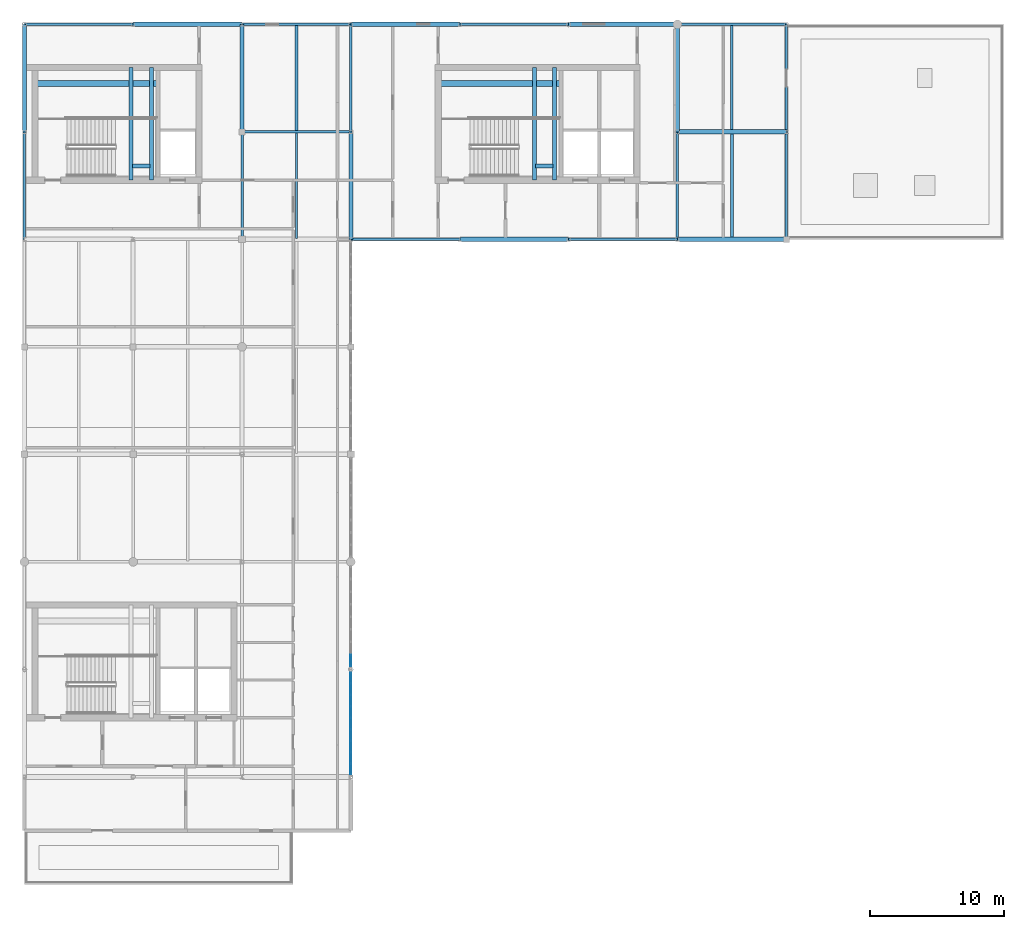
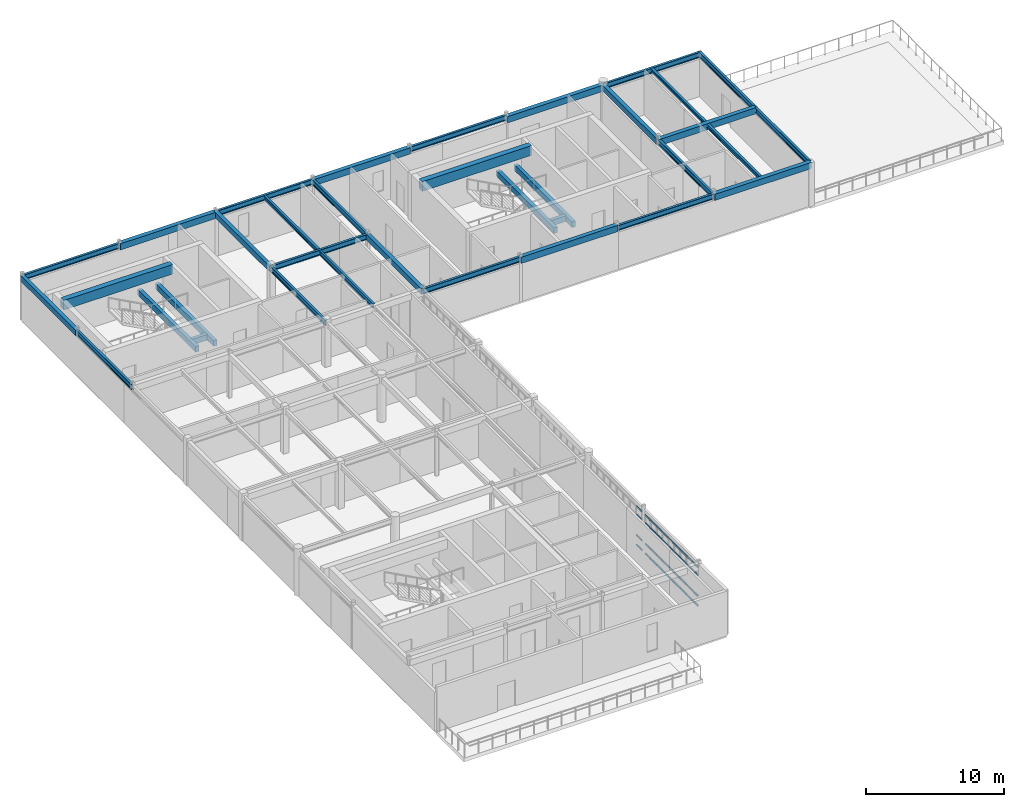
# One storey, part 6 of 18: 40 members, 35 beams, 2 elements without a shape of their own.
"""IFC4 building model written with IfcOpenShell, lengths in metres."""

from ifc_helpers import new_model, si_unit, direction, frame, origin, origin_2d, place, context, subcontext, project, spatial, rectangle, i_section, extrude, material, material_profile, profile_set, type_object, element, aggregate, save


model = new_model("IFC4")

# Units and contexts
model_context = context("Model", 3, precision=1e-05, world=origin(), true_north=direction((0.0, 1.0)))
body_context = subcontext(model_context, "Body", "Model", "MODEL_VIEW")
ifc_project = project(units=[si_unit("LENGTHUNIT", "METRE"), si_unit("AREAUNIT", "SQUARE_METRE"), si_unit("VOLUMEUNIT", "CUBIC_METRE"), si_unit("PLANEANGLEUNIT", "RADIAN"), si_unit("MASSUNIT", "GRAM", prefix="KILO")], contexts=[model_context])

# Site, building, storey
site_placement = place(None, origin())
site = spatial("IfcSite", under=ifc_project, at=site_placement, CompositionType="ELEMENT")
building_placement = place(site_placement, origin())
building = spatial("IfcBuilding", under=site, at=building_placement, Name="Tarnveldt Square Police Headquarters", CompositionType="ELEMENT")
storey_placement = place(building_placement, frame((0.0, 0.0, 29.10009765625)))
storey = spatial("IfcBuildingStorey", under=building, at=storey_placement, Name="L06", CompositionType="ELEMENT", Elevation=29.10009765625)

# Beams
ifc_material_1 = material(Name="Concrete 50 MPa", Category="concrete")
ifc_material_profile_1 = material_profile(ifc_material_1, rectangle(XDim=0.449951171875, YDim=0.85009765625, at=origin_2d()), Name="RC-CB450x850")
ifc_profile_set_1 = profile_set([ifc_material_profile_1], Name="Concrete 50 MPa")
beam_type_1 = type_object("IfcBeamType", Name="BM-CB450x850", PredefinedType="BEAM", material=ifc_profile_set_1)
for number, where, z_axis, x_axis, name in (
    (1, (17.0, 107.60009765625, 3.77490234375), (1.0, 0.0, 0.0), (0.0, 1.0, 0.0), "Core K2 North-West Operations Core L06 Ductile Coupling Beam"),
    (2, (47.0, 107.60009765625, 3.77490234375), (1.0, 0.0, 0.0), (0.0, 1.0, 0.0), "Core K3 North-Central Forensic and Firefighting Core L06 Ductile Coupling Beam"),
):
    element("IfcBeam", number, at=place(storey_placement, frame(where, z_axis=z_axis, x_axis=x_axis)), inside=storey, type_object=beam_type_1, Name=name, PredefinedType="BEAM", context=body_context, shape_type="SweptSolid", body=[
        extrude(rectangle(XDim=0.449951171875, YDim=0.85009765625, at=origin_2d()), origin(), (0.0, 0.0, 1.0), 9.14990234375),
    ])
ifc_material_2 = material(Name="Concrete 40 MPa", Category="concrete")
ifc_material_profile_2 = material_profile(ifc_material_2, rectangle(XDim=0.300048828125, YDim=0.5, at=origin_2d()), Name="RC-B300x500")
ifc_profile_set_2 = profile_set([ifc_material_profile_2], Name="Concrete 40 MPa")
beam_type_2 = type_object("IfcBeamType", Name="BM-RC300x500", PredefinedType="BEAM", material=ifc_profile_set_2)
beam_1_placement = place(storey_placement, frame((24.14990234375, 100.39990234375, 1.64990234375), z_axis=(0.0, 1.0, 0.0), x_axis=(-1.0, 0.0, 0.0)))
element("IfcBeam", 3, at=beam_1_placement, inside=storey, type_object=beam_type_2, Name="ST2 L06 Half-Landing Support Beam 1", PredefinedType="BEAM", context=body_context, shape_type="SweptSolid", body=[
    extrude(rectangle(XDim=0.300048828125, YDim=0.5, at=origin_2d()), origin(), (0.0, 0.0, 1.0), 8.400146484375),
])
beam_2_placement = place(storey_placement, frame((24.25, 101.449951171875, 1.64990234375), z_axis=(1.0, 0.0, 0.0), x_axis=(0.0, 1.0, 0.0)))
element("IfcBeam", 4, at=beam_2_placement, inside=storey, type_object=beam_type_2, Name="ST2 L06 Half-Landing Support Beam 2", PredefinedType="BEAM", context=body_context, shape_type="SweptSolid", body=[
    extrude(rectangle(XDim=0.300048828125, YDim=0.5, at=origin_2d()), origin(), (0.0, 0.0, 1.0), 1.300048828125),
])
for number, where, z_axis, x_axis, name in (
    (5, (25.64990234375, 100.39990234375, 1.64990234375), (0.0, 1.0, 0.0), (-1.0, 0.0, 0.0), "ST2 L06 Half-Landing Transverse Support Beam"),
    (6, (54.14990234375, 100.39990234375, 1.64990234375), (0.0, 1.0, 0.0), (-1.0, 0.0, 0.0), "ST3 L06 Half-Landing Support Beam 1"),
):
    element("IfcBeam", number, at=place(storey_placement, frame(where, z_axis=z_axis, x_axis=x_axis)), inside=storey, type_object=beam_type_2, Name=name, PredefinedType="BEAM", context=body_context, shape_type="SweptSolid", body=[
        extrude(rectangle(XDim=0.300048828125, YDim=0.5, at=origin_2d()), origin(), (0.0, 0.0, 1.0), 8.400146484375),
    ])
beam_3_placement = place(storey_placement, frame((54.25, 101.449951171875, 1.64990234375), z_axis=(1.0, 0.0, 0.0), x_axis=(0.0, 1.0, 0.0)))
element("IfcBeam", 7, at=beam_3_placement, inside=storey, type_object=beam_type_2, Name="ST3 L06 Half-Landing Support Beam 2", PredefinedType="BEAM", context=body_context, shape_type="SweptSolid", body=[
    extrude(rectangle(XDim=0.300048828125, YDim=0.5, at=origin_2d()), origin(), (0.0, 0.0, 1.0), 1.300048828125),
])
beam_4_placement = place(storey_placement, frame((55.64990234375, 100.39990234375, 1.64990234375), z_axis=(0.0, 1.0, 0.0), x_axis=(-1.0, 0.0, 0.0)))
element("IfcBeam", 8, at=beam_4_placement, inside=storey, type_object=beam_type_2, Name="ST3 L06 Half-Landing Transverse Support Beam", PredefinedType="BEAM", context=body_context, shape_type="SweptSolid", body=[
    extrude(rectangle(XDim=0.300048828125, YDim=0.5, at=origin_2d()), origin(), (0.0, 0.0, 1.0), 8.400146484375),
])
for number, where, z_axis, x_axis, name in (
    (9, (16.199951171875, 104.0, 3.7099609375), (0.0, 1.0, 0.0), (-1.0, 0.0, 0.0), "L07 Grid Girder Y-1114"),
    (10, (32.39990234375, 104.0, 3.7099609375), (0.0, 1.0, 0.0), (-1.0, 0.0, 0.0), "L07 Grid Girder Y-1123"),
    (11, (40.5, 96.0, 3.7099609375), (0.0, 1.0, 0.0), (-1.0, 0.0, 0.0), "L07 Grid Girder Y-1129"),
    (12, (64.800048828125, 104.0, 3.60986328125), (0.0, 1.0, 0.0), (-1.0, 0.0, 0.0), "L07 Grid Girder Y-1132"),
):
    element("IfcBeam", number, at=place(storey_placement, frame(where, z_axis=z_axis, x_axis=x_axis)), inside=storey, type_object=beam_type_2, Name=name, PredefinedType="BEAM", context=body_context, shape_type="SweptSolid", body=[
        extrude(rectangle(XDim=0.300048828125, YDim=0.5, at=origin_2d()), origin(), (0.0, 0.0, 1.0), 8.0),
    ])
ifc_material_profile_3 = material_profile(ifc_material_2, rectangle(XDim=0.35009765625, YDim=0.550048828125, at=origin_2d()), Name="RC-B350x550")
ifc_profile_set_3 = profile_set([ifc_material_profile_3], Name="Concrete 40 MPa")
beam_type_3 = type_object("IfcBeamType", Name="BM-RC350x550", PredefinedType="BEAM", material=ifc_profile_set_3)
for number, where, z_axis, x_axis, name in (
    (13, (48.60009765625, 96.0, 3.684814453125), (1.0, 0.0, 0.0), (0.0, 1.0, 0.0), "L07 Grid Girder X-1096"),
    (14, (64.800048828125, 96.0, 3.5849609375), (1.0, 0.0, 0.0), (0.0, 1.0, 0.0), "L07 Grid Girder X-1098"),
    (15, (64.800048828125, 104.0, 3.5849609375), (1.0, 0.0, 0.0), (0.0, 1.0, 0.0), "L07 Grid Girder X-1100"),
    (16, (24.300048828125, 112.0, 3.684814453125), (1.0, 0.0, 0.0), (0.0, 1.0, 0.0), "L07 Grid Girder X-1102"),
):
    element("IfcBeam", number, at=place(storey_placement, frame(where, z_axis=z_axis, x_axis=x_axis)), inside=storey, type_object=beam_type_3, Name=name, PredefinedType="BEAM", context=body_context, shape_type="SweptSolid", body=[
        extrude(rectangle(XDim=0.35009765625, YDim=0.550048828125, at=origin_2d()), origin(), (0.0, 0.0, 1.0), 8.099853515625),
    ])
for number, where, z_axis, x_axis, name in (
    (17, (40.5, 112.0, 3.684814453125), (1.0, 0.0, 0.0), (0.0, 1.0, 0.0), "L07 Grid Girder X-1104"),
    (18, (56.699951171875, 112.0, 3.5849609375), (1.0, 0.0, 0.0), (0.0, 1.0, 0.0), "L07 Grid Girder X-1106"),
):
    element("IfcBeam", number, at=place(storey_placement, frame(where, z_axis=z_axis, x_axis=x_axis)), inside=storey, type_object=beam_type_3, Name=name, PredefinedType="BEAM", context=body_context, shape_type="SweptSolid", body=[
        extrude(rectangle(XDim=0.35009765625, YDim=0.550048828125, at=origin_2d()), origin(), (0.0, 0.0, 1.0), 8.10009765625),
    ])
ifc_material_3 = material(Name="Steel 350W", Category="steel")
ifc_material_profile_4 = material_profile(ifc_material_3, i_section(OverallWidth=0.202880859375, OverallDepth=0.302978515625, WebThickness=0.007568359375, FlangeThickness=0.01318359375, FilletRadius=0.014892578125, at=origin_2d()), Name="W310x60")
ifc_profile_set_4 = profile_set([ifc_material_profile_4], Name="Steel 350W")
beam_type_4 = type_object("IfcBeamType", Name="BM-W310x60", PredefinedType="JOIST", material=ifc_profile_set_4)
beam_5_placement = place(storey_placement, frame((68.85009765625, 104.080078125, 3.70849609375), z_axis=(0.0, 1.0, 0.0), x_axis=(-1.0, 0.0, 0.0)))
element("IfcBeam", 19, at=beam_5_placement, inside=storey, type_object=beam_type_4, Name="L07 Secondary Floor Joist 0268", PredefinedType="JOIST", context=body_context, shape_type="SweptSolid", body=[
    extrude(i_section(OverallWidth=0.202880859375, OverallDepth=0.302978515625, WebThickness=0.007568359375, FlangeThickness=0.01318359375, FilletRadius=0.014892578125, at=origin_2d()), origin(), (0.0, 0.0, 1.0), 7.83984375),
])
ifc_material_profile_5 = material_profile(ifc_material_3, i_section(OverallWidth=0.202880859375, OverallDepth=0.346923828125, WebThickness=0.0078125, FlangeThickness=0.013427734375, FilletRadius=0.01611328125, at=origin_2d()), Name="W360x64")
ifc_profile_set_5 = profile_set([ifc_material_profile_5], Name="Steel 350W")
beam_type_5 = type_object("IfcBeamType", Name="BM-W360x64", PredefinedType="JOIST", material=ifc_profile_set_5)
beam_6_placement = place(storey_placement, frame((36.449951171875, 104.080078125, 3.786376953125), z_axis=(0.0, 1.0, 0.0), x_axis=(-1.0, 0.0, 0.0)))
element("IfcBeam", 20, at=beam_6_placement, inside=storey, type_object=beam_type_5, Name="L07 Secondary Floor Joist 0267", PredefinedType="JOIST", context=body_context, shape_type="SweptSolid", body=[
    extrude(i_section(OverallWidth=0.202880859375, OverallDepth=0.346923828125, WebThickness=0.0078125, FlangeThickness=0.013427734375, FilletRadius=0.01611328125, at=origin_2d()), origin(), (0.0, 0.0, 1.0), 7.83984375),
])
ifc_material_profile_6 = material_profile(ifc_material_3, i_section(OverallWidth=0.205078125, OverallDepth=0.35400390625, WebThickness=0.009521484375, FlangeThickness=0.016845703125, FilletRadius=0.01611328125, at=origin_2d()), Name="W360x79")
ifc_profile_set_6 = profile_set([ifc_material_profile_6], Name="Steel 350W")
beam_type_6 = type_object("IfcBeamType", Name="BM-W360x79", PredefinedType="JOIST", material=ifc_profile_set_6)
beam_7_placement = place(storey_placement, frame((68.85009765625, 96.080078125, 3.682861328125), z_axis=(0.0, 1.0, 0.0), x_axis=(-1.0, 0.0, 0.0)))
element("IfcBeam", 21, at=beam_7_placement, inside=storey, type_object=beam_type_6, Name="L07 Secondary Floor Joist 0266", PredefinedType="JOIST", context=body_context, shape_type="SweptSolid", body=[
    extrude(i_section(OverallWidth=0.205078125, OverallDepth=0.35400390625, WebThickness=0.009521484375, FlangeThickness=0.016845703125, FilletRadius=0.01611328125, at=origin_2d()), origin(), (0.0, 0.0, 1.0), 7.83984375),
])
ifc_material_profile_7 = material_profile(ifc_material_3, i_section(OverallWidth=0.177978515625, OverallDepth=0.406982421875, WebThickness=0.0078125, FlangeThickness=0.0126953125, FilletRadius=0.01611328125, at=origin_2d()), Name="W410x60")
ifc_profile_set_7 = profile_set([ifc_material_profile_7], Name="Steel 350W")
beam_type_7 = type_object("IfcBeamType", Name="BM-W410x60", PredefinedType="JOIST", material=ifc_profile_set_7)
beam_8_placement = place(storey_placement, frame((36.449951171875, 96.080078125, 3.75634765625), z_axis=(0.0, 1.0, 0.0), x_axis=(-1.0, 0.0, 0.0)))
element("IfcBeam", 22, at=beam_8_placement, inside=storey, type_object=beam_type_7, Name="L07 Secondary Floor Joist 0265", PredefinedType="JOIST", context=body_context, shape_type="SweptSolid", body=[
    extrude(i_section(OverallWidth=0.177978515625, OverallDepth=0.406982421875, WebThickness=0.0078125, FlangeThickness=0.0126953125, FilletRadius=0.01611328125, at=origin_2d()), origin(), (0.0, 0.0, 1.0), 7.83984375),
])
ifc_material_profile_8 = material_profile(ifc_material_3, i_section(OverallWidth=0.19189453125, OverallDepth=0.462890625, WebThickness=0.010498046875, FlangeThickness=0.017578125, FilletRadius=0.01806640625, at=origin_2d()), Name="W460x89")
ifc_profile_set_8 = profile_set([ifc_material_profile_8], Name="Steel 350W")
beam_type_8 = type_object("IfcBeamType", Name="BM-W460x89", PredefinedType="BEAM", material=ifc_profile_set_8)
for number, where, z_axis, x_axis, name in (
    (23, (40.5, 96.0, 3.728515625), (1.0, 0.0, 0.0), (0.0, 1.0, 0.0), "L07 Grid Girder X-1095"),
    (24, (56.699951171875, 96.0, 3.62841796875), (1.0, 0.0, 0.0), (0.0, 1.0, 0.0), "L07 Grid Girder X-1097"),
    (25, (32.39990234375, 104.0, 3.728515625), (1.0, 0.0, 0.0), (0.0, 1.0, 0.0), "L07 Grid Girder X-1099"),
    (26, (16.199951171875, 112.0, 3.728515625), (1.0, 0.0, 0.0), (0.0, 1.0, 0.0), "L07 Grid Girder X-1101"),
    (27, (32.39990234375, 112.0, 3.728515625), (1.0, 0.0, 0.0), (0.0, 1.0, 0.0), "L07 Grid Girder X-1103"),
):
    element("IfcBeam", number, at=place(storey_placement, frame(where, z_axis=z_axis, x_axis=x_axis)), inside=storey, type_object=beam_type_8, Name=name, PredefinedType="BEAM", context=body_context, shape_type="SweptSolid", body=[
        extrude(i_section(OverallWidth=0.19189453125, OverallDepth=0.462890625, WebThickness=0.010498046875, FlangeThickness=0.017578125, FilletRadius=0.01806640625, at=origin_2d()), origin(), (0.0, 0.0, 1.0), 8.10009765625),
    ])
for number, where, z_axis, x_axis, name in (
    (28, (48.60009765625, 112.0, 3.728515625), (1.0, 0.0, 0.0), (0.0, 1.0, 0.0), "L07 Grid Girder X-1105"),
    (29, (64.800048828125, 112.0, 3.62841796875), (1.0, 0.0, 0.0), (0.0, 1.0, 0.0), "L07 Grid Girder X-1107"),
):
    element("IfcBeam", number, at=place(storey_placement, frame(where, z_axis=z_axis, x_axis=x_axis)), inside=storey, type_object=beam_type_8, Name=name, PredefinedType="BEAM", context=body_context, shape_type="SweptSolid", body=[
        extrude(i_section(OverallWidth=0.19189453125, OverallDepth=0.462890625, WebThickness=0.010498046875, FlangeThickness=0.017578125, FilletRadius=0.01806640625, at=origin_2d()), origin(), (0.0, 0.0, 1.0), 8.099853515625),
    ])
for number, where, z_axis, x_axis, name in (
    (30, (16.199951171875, 96.0, 3.728515625), (0.0, 1.0, 0.0), (-1.0, 0.0, 0.0), "L07 Grid Girder Y-1113"),
    (31, (32.39990234375, 96.0, 3.728515625), (0.0, 1.0, 0.0), (-1.0, 0.0, 0.0), "L07 Grid Girder Y-1122"),
    (32, (40.5, 104.0, 3.728515625), (0.0, 1.0, 0.0), (-1.0, 0.0, 0.0), "L07 Grid Girder Y-1130"),
    (33, (64.800048828125, 96.0, 3.62841796875), (0.0, 1.0, 0.0), (-1.0, 0.0, 0.0), "L07 Grid Girder Y-1131"),
    (34, (72.89990234375, 96.0, 3.62841796875), (0.0, 1.0, 0.0), (-1.0, 0.0, 0.0), "L07 Grid Girder Y-1133"),
    (35, (72.89990234375, 104.0, 3.62841796875), (0.0, 1.0, 0.0), (-1.0, 0.0, 0.0), "L07 Grid Girder Y-1134"),
):
    element("IfcBeam", number, at=place(storey_placement, frame(where, z_axis=z_axis, x_axis=x_axis)), inside=storey, type_object=beam_type_8, Name=name, PredefinedType="BEAM", context=body_context, shape_type="SweptSolid", body=[
        extrude(i_section(OverallWidth=0.19189453125, OverallDepth=0.462890625, WebThickness=0.010498046875, FlangeThickness=0.017578125, FilletRadius=0.01806640625, at=origin_2d()), origin(), (0.0, 0.0, 1.0), 8.0),
    ])

# Curtain wall, members
ifc_material_4 = material(Name="Triple-glazed low-e laminated vision glass", Category="glass")
curtain_wall_type_1 = type_object("IfcCurtainWallType", Name="CW-UP-768x349", PredefinedType="USERDEFINED", material=ifc_material_4)
curtain_wall_1_placement = place(storey_placement, origin())
curtain_wall_1 = element("IfcCurtainWall", 36, at=curtain_wall_1_placement, inside=storey, type_object=curtain_wall_type_1, Name="L06 Curtain Wall CW-L06-089", ObjectType="GLAZED CURTAIN WALL", PredefinedType="USERDEFINED")
ifc_material_5 = material(Name="Thermally broken anodised aluminium 6063-T6", Category="aluminium")
ifc_material_profile_9 = material_profile(ifc_material_5, rectangle(XDim=0.06494140625, YDim=0.1201171875, at=origin_2d()), Name="CW-T65x120")
ifc_profile_set_9 = profile_set([ifc_material_profile_9], Name="Thermally broken anodised aluminium 6063-T6")
member_type = type_object("IfcMemberType", Name="CWT-65x120", PredefinedType="USERDEFINED", material=ifc_profile_set_9)
member_1_placement = place(storey_placement, frame((40.5, 56.20703125, 0.032470703125), z_axis=(0.0, 1.0, 0.0), x_axis=(-1.0, 0.0, 0.0)))
member_1 = element("IfcMember", 37, at=member_1_placement, type_object=member_type, Name="CW-UP47 transom 1.1", ObjectType="TRANSOM", PredefinedType="USERDEFINED", context=body_context, shape_type="SweptSolid", body=[
    extrude(rectangle(XDim=0.06494140625, YDim=0.1201171875, at=origin_2d()), origin(), (0.0, 0.0, 1.0), 0.755859375),
])
member_2_placement = place(storey_placement, frame((40.5, 56.20703125, 0.89990234375), z_axis=(0.0, 1.0, 0.0), x_axis=(-1.0, 0.0, 0.0)))
member_2 = element("IfcMember", 38, at=member_2_placement, type_object=member_type, Name="CW-UP47 transom 1.2", ObjectType="TRANSOM", PredefinedType="USERDEFINED", context=body_context, shape_type="SweptSolid", body=[
    extrude(rectangle(XDim=0.06494140625, YDim=0.1201171875, at=origin_2d()), origin(), (0.0, 0.0, 1.0), 0.755859375),
])
member_3_placement = place(storey_placement, frame((40.5, 56.20703125, 2.739013671875), z_axis=(0.0, 1.0, 0.0), x_axis=(-1.0, 0.0, 0.0)))
member_3 = element("IfcMember", 39, at=member_3_placement, type_object=member_type, Name="CW-UP47 transom 1.3", ObjectType="TRANSOM", PredefinedType="USERDEFINED", context=body_context, shape_type="SweptSolid", body=[
    extrude(rectangle(XDim=0.06494140625, YDim=0.1201171875, at=origin_2d()), origin(), (0.0, 0.0, 1.0), 0.755859375),
])
member_4_placement = place(storey_placement, frame((40.5, 56.20703125, 3.456298828125), z_axis=(0.0, 1.0, 0.0), x_axis=(-1.0, 0.0, 0.0)))
member_4 = element("IfcMember", 40, at=member_4_placement, type_object=member_type, Name="CW-UP47 transom 1.4", ObjectType="TRANSOM", PredefinedType="USERDEFINED", context=body_context, shape_type="SweptSolid", body=[
    extrude(rectangle(XDim=0.06494140625, YDim=0.1201171875, at=origin_2d()), origin(), (0.0, 0.0, 1.0), 0.755859375),
])
member_5_placement = place(storey_placement, frame((40.5, 57.02783203125, 0.032470703125), z_axis=(0.0, 1.0, 0.0), x_axis=(-1.0, 0.0, 0.0)))
member_5 = element("IfcMember", 41, at=member_5_placement, type_object=member_type, Name="CW-UP47 transom 2.1", ObjectType="TRANSOM", PredefinedType="USERDEFINED", context=body_context, shape_type="SweptSolid", body=[
    extrude(rectangle(XDim=0.06494140625, YDim=0.1201171875, at=origin_2d()), origin(), (0.0, 0.0, 1.0), 0.78857421875),
])
member_6_placement = place(storey_placement, frame((40.5, 57.02783203125, 0.89990234375), z_axis=(0.0, 1.0, 0.0), x_axis=(-1.0, 0.0, 0.0)))
member_6 = element("IfcMember", 42, at=member_6_placement, type_object=member_type, Name="CW-UP47 transom 2.2", ObjectType="TRANSOM", PredefinedType="USERDEFINED", context=body_context, shape_type="SweptSolid", body=[
    extrude(rectangle(XDim=0.06494140625, YDim=0.1201171875, at=origin_2d()), origin(), (0.0, 0.0, 1.0), 0.78857421875),
])
member_7_placement = place(storey_placement, frame((40.5, 57.02783203125, 2.739013671875), z_axis=(0.0, 1.0, 0.0), x_axis=(-1.0, 0.0, 0.0)))
member_7 = element("IfcMember", 43, at=member_7_placement, type_object=member_type, Name="CW-UP47 transom 2.3", ObjectType="TRANSOM", PredefinedType="USERDEFINED", context=body_context, shape_type="SweptSolid", body=[
    extrude(rectangle(XDim=0.06494140625, YDim=0.1201171875, at=origin_2d()), origin(), (0.0, 0.0, 1.0), 0.78857421875),
])
member_8_placement = place(storey_placement, frame((40.5, 57.02783203125, 3.456298828125), z_axis=(0.0, 1.0, 0.0), x_axis=(-1.0, 0.0, 0.0)))
member_8 = element("IfcMember", 44, at=member_8_placement, type_object=member_type, Name="CW-UP47 transom 2.4", ObjectType="TRANSOM", PredefinedType="USERDEFINED", context=body_context, shape_type="SweptSolid", body=[
    extrude(rectangle(XDim=0.06494140625, YDim=0.1201171875, at=origin_2d()), origin(), (0.0, 0.0, 1.0), 0.78857421875),
])
member_9_placement = place(storey_placement, frame((40.5, 57.88134765625, 0.032470703125), z_axis=(0.0, 1.0, 0.0), x_axis=(-1.0, 0.0, 0.0)))
member_9 = element("IfcMember", 45, at=member_9_placement, type_object=member_type, Name="CW-UP47 transom 3.1", ObjectType="TRANSOM", PredefinedType="USERDEFINED", context=body_context, shape_type="SweptSolid", body=[
    extrude(rectangle(XDim=0.06494140625, YDim=0.1201171875, at=origin_2d()), origin(), (0.0, 0.0, 1.0), 0.78857421875),
])
member_10_placement = place(storey_placement, frame((40.5, 57.88134765625, 0.89990234375), z_axis=(0.0, 1.0, 0.0), x_axis=(-1.0, 0.0, 0.0)))
member_10 = element("IfcMember", 46, at=member_10_placement, type_object=member_type, Name="CW-UP47 transom 3.2", ObjectType="TRANSOM", PredefinedType="USERDEFINED", context=body_context, shape_type="SweptSolid", body=[
    extrude(rectangle(XDim=0.06494140625, YDim=0.1201171875, at=origin_2d()), origin(), (0.0, 0.0, 1.0), 0.78857421875),
])
member_11_placement = place(storey_placement, frame((40.5, 57.88134765625, 2.739013671875), z_axis=(0.0, 1.0, 0.0), x_axis=(-1.0, 0.0, 0.0)))
member_11 = element("IfcMember", 47, at=member_11_placement, type_object=member_type, Name="CW-UP47 transom 3.3", ObjectType="TRANSOM", PredefinedType="USERDEFINED", context=body_context, shape_type="SweptSolid", body=[
    extrude(rectangle(XDim=0.06494140625, YDim=0.1201171875, at=origin_2d()), origin(), (0.0, 0.0, 1.0), 0.78857421875),
])
member_12_placement = place(storey_placement, frame((40.5, 57.88134765625, 3.456298828125), z_axis=(0.0, 1.0, 0.0), x_axis=(-1.0, 0.0, 0.0)))
member_12 = element("IfcMember", 48, at=member_12_placement, type_object=member_type, Name="CW-UP47 transom 3.4", ObjectType="TRANSOM", PredefinedType="USERDEFINED", context=body_context, shape_type="SweptSolid", body=[
    extrude(rectangle(XDim=0.06494140625, YDim=0.1201171875, at=origin_2d()), origin(), (0.0, 0.0, 1.0), 0.78857421875),
])
member_13_placement = place(storey_placement, frame((40.5, 58.73486328125, 0.032470703125), z_axis=(0.0, 1.0, 0.0), x_axis=(-1.0, 0.0, 0.0)))
member_13 = element("IfcMember", 49, at=member_13_placement, type_object=member_type, Name="CW-UP47 transom 4.1", ObjectType="TRANSOM", PredefinedType="USERDEFINED", context=body_context, shape_type="SweptSolid", body=[
    extrude(rectangle(XDim=0.06494140625, YDim=0.1201171875, at=origin_2d()), origin(), (0.0, 0.0, 1.0), 0.788330078125),
])
member_14_placement = place(storey_placement, frame((40.5, 58.73486328125, 0.89990234375), z_axis=(0.0, 1.0, 0.0), x_axis=(-1.0, 0.0, 0.0)))
member_14 = element("IfcMember", 50, at=member_14_placement, type_object=member_type, Name="CW-UP47 transom 4.2", ObjectType="TRANSOM", PredefinedType="USERDEFINED", context=body_context, shape_type="SweptSolid", body=[
    extrude(rectangle(XDim=0.06494140625, YDim=0.1201171875, at=origin_2d()), origin(), (0.0, 0.0, 1.0), 0.788330078125),
])
member_15_placement = place(storey_placement, frame((40.5, 58.73486328125, 2.739013671875), z_axis=(0.0, 1.0, 0.0), x_axis=(-1.0, 0.0, 0.0)))
member_15 = element("IfcMember", 51, at=member_15_placement, type_object=member_type, Name="CW-UP47 transom 4.3", ObjectType="TRANSOM", PredefinedType="USERDEFINED", context=body_context, shape_type="SweptSolid", body=[
    extrude(rectangle(XDim=0.06494140625, YDim=0.1201171875, at=origin_2d()), origin(), (0.0, 0.0, 1.0), 0.788330078125),
])
member_16_placement = place(storey_placement, frame((40.5, 58.73486328125, 3.456298828125), z_axis=(0.0, 1.0, 0.0), x_axis=(-1.0, 0.0, 0.0)))
member_16 = element("IfcMember", 52, at=member_16_placement, type_object=member_type, Name="CW-UP47 transom 4.4", ObjectType="TRANSOM", PredefinedType="USERDEFINED", context=body_context, shape_type="SweptSolid", body=[
    extrude(rectangle(XDim=0.06494140625, YDim=0.1201171875, at=origin_2d()), origin(), (0.0, 0.0, 1.0), 0.788330078125),
])
member_17_placement = place(storey_placement, frame((40.5, 59.58837890625, 0.032470703125), z_axis=(0.0, 1.0, 0.0), x_axis=(-1.0, 0.0, 0.0)))
member_17 = element("IfcMember", 53, at=member_17_placement, type_object=member_type, Name="CW-UP47 transom 5.1", ObjectType="TRANSOM", PredefinedType="USERDEFINED", context=body_context, shape_type="SweptSolid", body=[
    extrude(rectangle(XDim=0.06494140625, YDim=0.1201171875, at=origin_2d()), origin(), (0.0, 0.0, 1.0), 0.788330078125),
])
member_18_placement = place(storey_placement, frame((40.5, 59.58837890625, 0.89990234375), z_axis=(0.0, 1.0, 0.0), x_axis=(-1.0, 0.0, 0.0)))
member_18 = element("IfcMember", 54, at=member_18_placement, type_object=member_type, Name="CW-UP47 transom 5.2", ObjectType="TRANSOM", PredefinedType="USERDEFINED", context=body_context, shape_type="SweptSolid", body=[
    extrude(rectangle(XDim=0.06494140625, YDim=0.1201171875, at=origin_2d()), origin(), (0.0, 0.0, 1.0), 0.788330078125),
])
member_19_placement = place(storey_placement, frame((40.5, 59.58837890625, 2.739013671875), z_axis=(0.0, 1.0, 0.0), x_axis=(-1.0, 0.0, 0.0)))
member_19 = element("IfcMember", 55, at=member_19_placement, type_object=member_type, Name="CW-UP47 transom 5.3", ObjectType="TRANSOM", PredefinedType="USERDEFINED", context=body_context, shape_type="SweptSolid", body=[
    extrude(rectangle(XDim=0.06494140625, YDim=0.1201171875, at=origin_2d()), origin(), (0.0, 0.0, 1.0), 0.788330078125),
])
member_20_placement = place(storey_placement, frame((40.5, 59.58837890625, 3.456298828125), z_axis=(0.0, 1.0, 0.0), x_axis=(-1.0, 0.0, 0.0)))
member_20 = element("IfcMember", 56, at=member_20_placement, type_object=member_type, Name="CW-UP47 transom 5.4", ObjectType="TRANSOM", PredefinedType="USERDEFINED", context=body_context, shape_type="SweptSolid", body=[
    extrude(rectangle(XDim=0.06494140625, YDim=0.1201171875, at=origin_2d()), origin(), (0.0, 0.0, 1.0), 0.788330078125),
])
member_21_placement = place(storey_placement, frame((40.5, 60.441650390625, 0.032470703125), z_axis=(0.0, 1.0, 0.0), x_axis=(-1.0, 0.0, 0.0)))
member_21 = element("IfcMember", 57, at=member_21_placement, type_object=member_type, Name="CW-UP47 transom 6.1", ObjectType="TRANSOM", PredefinedType="USERDEFINED", context=body_context, shape_type="SweptSolid", body=[
    extrude(rectangle(XDim=0.06494140625, YDim=0.1201171875, at=origin_2d()), origin(), (0.0, 0.0, 1.0), 0.78857421875),
])
member_22_placement = place(storey_placement, frame((40.5, 60.441650390625, 0.89990234375), z_axis=(0.0, 1.0, 0.0), x_axis=(-1.0, 0.0, 0.0)))
member_22 = element("IfcMember", 58, at=member_22_placement, type_object=member_type, Name="CW-UP47 transom 6.2", ObjectType="TRANSOM", PredefinedType="USERDEFINED", context=body_context, shape_type="SweptSolid", body=[
    extrude(rectangle(XDim=0.06494140625, YDim=0.1201171875, at=origin_2d()), origin(), (0.0, 0.0, 1.0), 0.78857421875),
])
member_23_placement = place(storey_placement, frame((40.5, 60.441650390625, 2.739013671875), z_axis=(0.0, 1.0, 0.0), x_axis=(-1.0, 0.0, 0.0)))
member_23 = element("IfcMember", 59, at=member_23_placement, type_object=member_type, Name="CW-UP47 transom 6.3", ObjectType="TRANSOM", PredefinedType="USERDEFINED", context=body_context, shape_type="SweptSolid", body=[
    extrude(rectangle(XDim=0.06494140625, YDim=0.1201171875, at=origin_2d()), origin(), (0.0, 0.0, 1.0), 0.78857421875),
])
member_24_placement = place(storey_placement, frame((40.5, 60.441650390625, 3.456298828125), z_axis=(0.0, 1.0, 0.0), x_axis=(-1.0, 0.0, 0.0)))
member_24 = element("IfcMember", 60, at=member_24_placement, type_object=member_type, Name="CW-UP47 transom 6.4", ObjectType="TRANSOM", PredefinedType="USERDEFINED", context=body_context, shape_type="SweptSolid", body=[
    extrude(rectangle(XDim=0.06494140625, YDim=0.1201171875, at=origin_2d()), origin(), (0.0, 0.0, 1.0), 0.78857421875),
])
member_25_placement = place(storey_placement, frame((40.5, 61.295166015625, 0.032470703125), z_axis=(0.0, 1.0, 0.0), x_axis=(-1.0, 0.0, 0.0)))
member_25 = element("IfcMember", 61, at=member_25_placement, type_object=member_type, Name="CW-UP47 transom 7.1", ObjectType="TRANSOM", PredefinedType="USERDEFINED", context=body_context, shape_type="SweptSolid", body=[
    extrude(rectangle(XDim=0.06494140625, YDim=0.1201171875, at=origin_2d()), origin(), (0.0, 0.0, 1.0), 0.788330078125),
])
member_26_placement = place(storey_placement, frame((40.5, 61.295166015625, 0.89990234375), z_axis=(0.0, 1.0, 0.0), x_axis=(-1.0, 0.0, 0.0)))
member_26 = element("IfcMember", 62, at=member_26_placement, type_object=member_type, Name="CW-UP47 transom 7.2", ObjectType="TRANSOM", PredefinedType="USERDEFINED", context=body_context, shape_type="SweptSolid", body=[
    extrude(rectangle(XDim=0.06494140625, YDim=0.1201171875, at=origin_2d()), origin(), (0.0, 0.0, 1.0), 0.788330078125),
])
member_27_placement = place(storey_placement, frame((40.5, 61.295166015625, 2.739013671875), z_axis=(0.0, 1.0, 0.0), x_axis=(-1.0, 0.0, 0.0)))
member_27 = element("IfcMember", 63, at=member_27_placement, type_object=member_type, Name="CW-UP47 transom 7.3", ObjectType="TRANSOM", PredefinedType="USERDEFINED", context=body_context, shape_type="SweptSolid", body=[
    extrude(rectangle(XDim=0.06494140625, YDim=0.1201171875, at=origin_2d()), origin(), (0.0, 0.0, 1.0), 0.788330078125),
])
member_28_placement = place(storey_placement, frame((40.5, 61.295166015625, 3.456298828125), z_axis=(0.0, 1.0, 0.0), x_axis=(-1.0, 0.0, 0.0)))
member_28 = element("IfcMember", 64, at=member_28_placement, type_object=member_type, Name="CW-UP47 transom 7.4", ObjectType="TRANSOM", PredefinedType="USERDEFINED", context=body_context, shape_type="SweptSolid", body=[
    extrude(rectangle(XDim=0.06494140625, YDim=0.1201171875, at=origin_2d()), origin(), (0.0, 0.0, 1.0), 0.788330078125),
])
member_29_placement = place(storey_placement, frame((40.5, 62.148681640625, 0.032470703125), z_axis=(0.0, 1.0, 0.0), x_axis=(-1.0, 0.0, 0.0)))
member_29 = element("IfcMember", 65, at=member_29_placement, type_object=member_type, Name="CW-UP47 transom 8.1", ObjectType="TRANSOM", PredefinedType="USERDEFINED", context=body_context, shape_type="SweptSolid", body=[
    extrude(rectangle(XDim=0.06494140625, YDim=0.1201171875, at=origin_2d()), origin(), (0.0, 0.0, 1.0), 0.788330078125),
])
member_30_placement = place(storey_placement, frame((40.5, 62.148681640625, 0.89990234375), z_axis=(0.0, 1.0, 0.0), x_axis=(-1.0, 0.0, 0.0)))
member_30 = element("IfcMember", 66, at=member_30_placement, type_object=member_type, Name="CW-UP47 transom 8.2", ObjectType="TRANSOM", PredefinedType="USERDEFINED", context=body_context, shape_type="SweptSolid", body=[
    extrude(rectangle(XDim=0.06494140625, YDim=0.1201171875, at=origin_2d()), origin(), (0.0, 0.0, 1.0), 0.788330078125),
])
member_31_placement = place(storey_placement, frame((40.5, 62.148681640625, 2.739013671875), z_axis=(0.0, 1.0, 0.0), x_axis=(-1.0, 0.0, 0.0)))
member_31 = element("IfcMember", 67, at=member_31_placement, type_object=member_type, Name="CW-UP47 transom 8.3", ObjectType="TRANSOM", PredefinedType="USERDEFINED", context=body_context, shape_type="SweptSolid", body=[
    extrude(rectangle(XDim=0.06494140625, YDim=0.1201171875, at=origin_2d()), origin(), (0.0, 0.0, 1.0), 0.788330078125),
])
member_32_placement = place(storey_placement, frame((40.5, 62.148681640625, 3.456298828125), z_axis=(0.0, 1.0, 0.0), x_axis=(-1.0, 0.0, 0.0)))
member_32 = element("IfcMember", 68, at=member_32_placement, type_object=member_type, Name="CW-UP47 transom 8.4", ObjectType="TRANSOM", PredefinedType="USERDEFINED", context=body_context, shape_type="SweptSolid", body=[
    extrude(rectangle(XDim=0.06494140625, YDim=0.1201171875, at=origin_2d()), origin(), (0.0, 0.0, 1.0), 0.788330078125),
])
member_33_placement = place(storey_placement, frame((40.5, 63.001953125, 0.032470703125), z_axis=(0.0, 1.0, 0.0), x_axis=(-1.0, 0.0, 0.0)))
member_33 = element("IfcMember", 69, at=member_33_placement, type_object=member_type, Name="CW-UP47 transom 9.1", ObjectType="TRANSOM", PredefinedType="USERDEFINED", context=body_context, shape_type="SweptSolid", body=[
    extrude(rectangle(XDim=0.06494140625, YDim=0.1201171875, at=origin_2d()), origin(), (0.0, 0.0, 1.0), 0.756103515625),
])
member_34_placement = place(storey_placement, frame((40.5, 63.001953125, 0.89990234375), z_axis=(0.0, 1.0, 0.0), x_axis=(-1.0, 0.0, 0.0)))
member_34 = element("IfcMember", 70, at=member_34_placement, type_object=member_type, Name="CW-UP47 transom 9.2", ObjectType="TRANSOM", PredefinedType="USERDEFINED", context=body_context, shape_type="SweptSolid", body=[
    extrude(rectangle(XDim=0.06494140625, YDim=0.1201171875, at=origin_2d()), origin(), (0.0, 0.0, 1.0), 0.756103515625),
])
member_35_placement = place(storey_placement, frame((40.5, 63.001953125, 2.739013671875), z_axis=(0.0, 1.0, 0.0), x_axis=(-1.0, 0.0, 0.0)))
member_35 = element("IfcMember", 71, at=member_35_placement, type_object=member_type, Name="CW-UP47 transom 9.3", ObjectType="TRANSOM", PredefinedType="USERDEFINED", context=body_context, shape_type="SweptSolid", body=[
    extrude(rectangle(XDim=0.06494140625, YDim=0.1201171875, at=origin_2d()), origin(), (0.0, 0.0, 1.0), 0.756103515625),
])
member_36_placement = place(storey_placement, frame((40.5, 63.001953125, 3.456298828125), z_axis=(0.0, 1.0, 0.0), x_axis=(-1.0, 0.0, 0.0)))
member_36 = element("IfcMember", 72, at=member_36_placement, type_object=member_type, Name="CW-UP47 transom 9.4", ObjectType="TRANSOM", PredefinedType="USERDEFINED", context=body_context, shape_type="SweptSolid", body=[
    extrude(rectangle(XDim=0.06494140625, YDim=0.1201171875, at=origin_2d()), origin(), (0.0, 0.0, 1.0), 0.756103515625),
])
aggregate(curtain_wall_1, [member_1, member_2, member_3, member_4, member_5, member_6, member_7, member_8, member_9, member_10, member_11, member_12, member_13, member_14, member_15, member_16, member_17, member_18, member_19, member_20, member_21, member_22, member_23, member_24, member_25, member_26, member_27, member_28, member_29, member_30, member_31, member_32, member_33, member_34, member_35, member_36])

curtain_wall_type_2 = type_object("IfcCurtainWallType", Name="CW-UP-748x349", PredefinedType="USERDEFINED", material=ifc_material_4)
curtain_wall_2_placement = place(storey_placement, origin())
curtain_wall_2 = element("IfcCurtainWall", 73, at=curtain_wall_2_placement, inside=storey, type_object=curtain_wall_type_2, Name="L06 Curtain Wall CW-L06-090", ObjectType="GLAZED CURTAIN WALL", PredefinedType="USERDEFINED")
member_37_placement = place(storey_placement, frame((40.5, 64.241943359375, 0.032470703125), z_axis=(0.0, 1.0, 0.0), x_axis=(-1.0, 0.0, 0.0)))
member_37 = element("IfcMember", 74, at=member_37_placement, type_object=member_type, Name="CW-UP44 transom 1.1", ObjectType="TRANSOM", PredefinedType="USERDEFINED", context=body_context, shape_type="SweptSolid", body=[
    extrude(rectangle(XDim=0.06494140625, YDim=0.1201171875, at=origin_2d()), origin(), (0.0, 0.0, 1.0), 0.837890625),
])
member_38_placement = place(storey_placement, frame((40.5, 64.241943359375, 0.89990234375), z_axis=(0.0, 1.0, 0.0), x_axis=(-1.0, 0.0, 0.0)))
member_38 = element("IfcMember", 75, at=member_38_placement, type_object=member_type, Name="CW-UP44 transom 1.2", ObjectType="TRANSOM", PredefinedType="USERDEFINED", context=body_context, shape_type="SweptSolid", body=[
    extrude(rectangle(XDim=0.06494140625, YDim=0.1201171875, at=origin_2d()), origin(), (0.0, 0.0, 1.0), 0.837890625),
])
member_39_placement = place(storey_placement, frame((40.5, 64.241943359375, 2.739013671875), z_axis=(0.0, 1.0, 0.0), x_axis=(-1.0, 0.0, 0.0)))
member_39 = element("IfcMember", 76, at=member_39_placement, type_object=member_type, Name="CW-UP44 transom 1.3", ObjectType="TRANSOM", PredefinedType="USERDEFINED", context=body_context, shape_type="SweptSolid", body=[
    extrude(rectangle(XDim=0.06494140625, YDim=0.1201171875, at=origin_2d()), origin(), (0.0, 0.0, 1.0), 0.837890625),
])
member_40_placement = place(storey_placement, frame((40.5, 64.241943359375, 3.456298828125), z_axis=(0.0, 1.0, 0.0), x_axis=(-1.0, 0.0, 0.0)))
member_40 = element("IfcMember", 77, at=member_40_placement, type_object=member_type, Name="CW-UP44 transom 1.4", ObjectType="TRANSOM", PredefinedType="USERDEFINED", context=body_context, shape_type="SweptSolid", body=[
    extrude(rectangle(XDim=0.06494140625, YDim=0.1201171875, at=origin_2d()), origin(), (0.0, 0.0, 1.0), 0.837890625),
])
aggregate(curtain_wall_2, [member_37, member_38, member_39, member_40])

save(model, "model.ifc")
